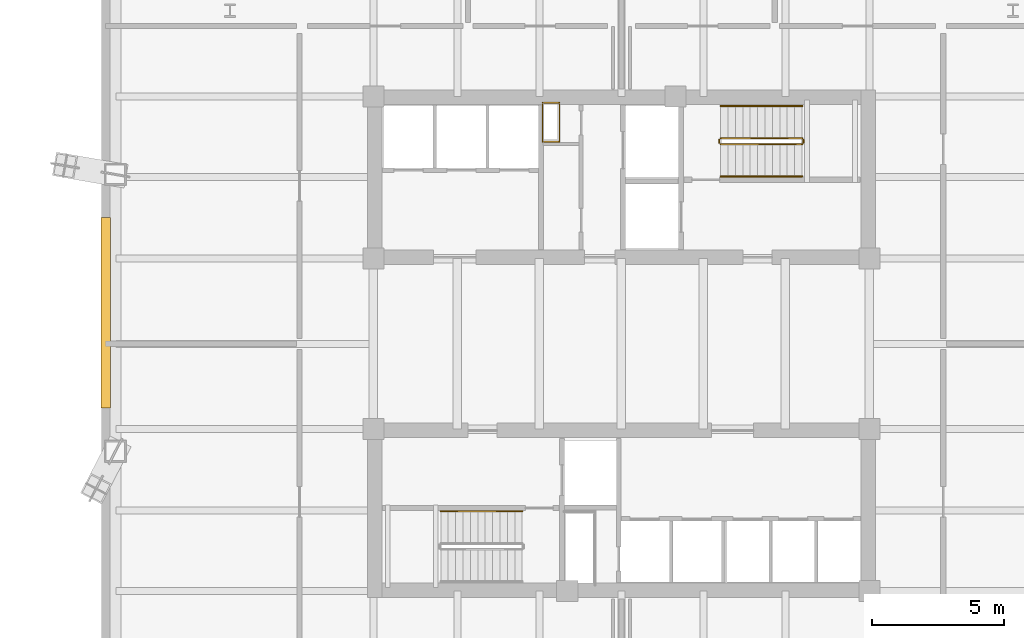
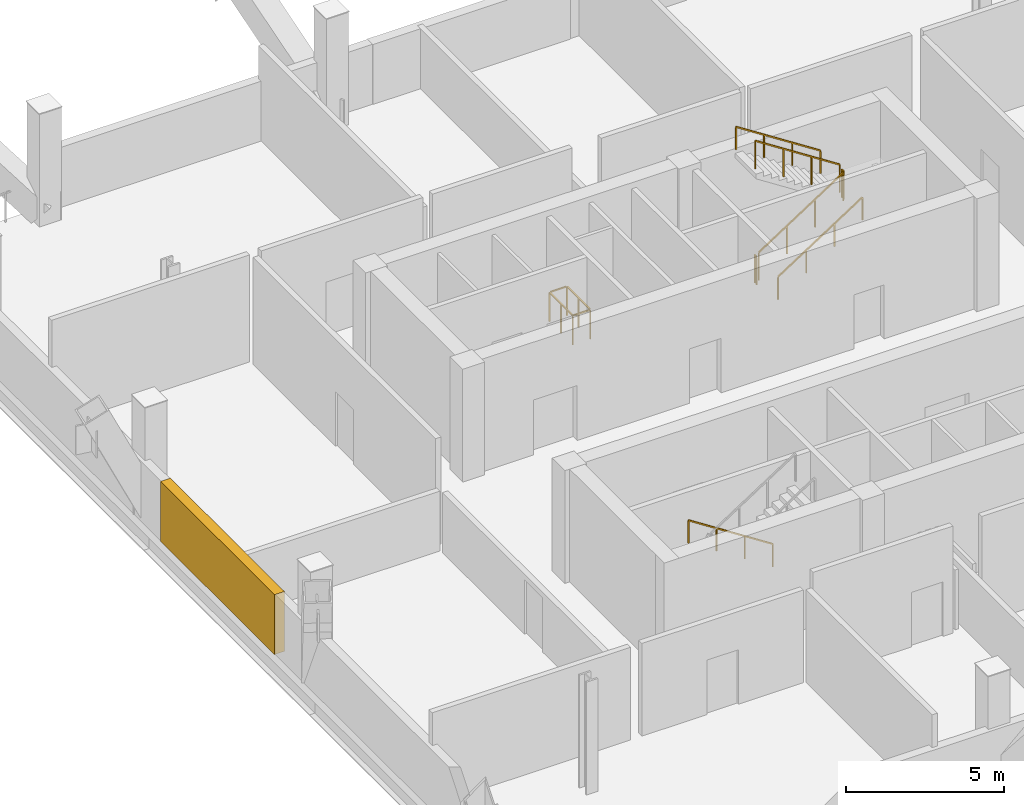
# One storey, part 7 of 8: 8 railings, 1 shading device.
"""IFC4 building model written with IfcOpenShell, lengths in metres."""

from ifc_helpers import new_model, si_unit, direction, frame, origin, origin_2d, place, context, subcontext, project, spatial, rectangle, extrude, material, type_object, element, save


model = new_model("IFC4")

# Units and contexts
model_context = context("Model", 3, precision=1e-05, world=origin(), true_north=direction((0.0, 1.0)))
body_context = subcontext(model_context, "Body", "Model", "MODEL_VIEW")
ifc_project = project(units=[si_unit("LENGTHUNIT", "METRE"), si_unit("AREAUNIT", "SQUARE_METRE"), si_unit("VOLUMEUNIT", "CUBIC_METRE"), si_unit("PLANEANGLEUNIT", "RADIAN"), si_unit("MASSUNIT", "GRAM", prefix="KILO")], contexts=[model_context])

# Site, building, storey
site_placement = place(None, origin())
site = spatial("IfcSite", under=ifc_project, at=site_placement, CompositionType="ELEMENT")
building_placement = place(site_placement, origin())
building = spatial("IfcBuilding", under=site, at=building_placement, Name="Qhalaya Broadcast Tower", CompositionType="ELEMENT")
storey_placement = place(building_placement, frame((0.0, 0.0, 65.10009765625)))
storey = spatial("IfcBuildingStorey", under=building, at=storey_placement, Name="L18", CompositionType="ELEMENT", Elevation=65.10009765625)

# Shading device
ifc_material_1 = material(Name="Fired Architectural Terracotta", Category="masonry")
shading_device_type = type_object("IfcShadingDeviceType", Name="Plant & Turbine-Slot Acoustic Louvre Screen LVS-01", PredefinedType="USERDEFINED", material=ifc_material_1)
shading_device_placement = place(storey_placement, frame((-19.489990234375, 1.77001953125, -0.000244140625), z_axis=(0.0, 0.0, 1.0), x_axis=(0.0, 1.0, 0.0)))
element("IfcShadingDevice", 1, at=shading_device_placement, inside=storey, type_object=shading_device_type, Name="L18 Plant Acoustic Louvre Screen W", ObjectType="LOUVRE", PredefinedType="USERDEFINED", context=body_context, shape_type="SweptSolid", body=[
    extrude(rectangle(XDim=7.199951171875, YDim=0.360107421875, at=origin_2d()), origin(), (0.0, 0.0, 1.0), 2.31005859375),
])

# Railings
ifc_material_2 = material(Name="Powder-Coated Galvanised Steel", Category="steel")
railing_type_1 = type_object("IfcRailingType", Name="Stair Wall Handrail 900", PredefinedType="HANDRAIL", material=ifc_material_2)
railing_1_placement = place(storey_placement, frame((3.75, 6.929931640625, 0.18115234375)))
element("IfcRailing", 2, at=railing_1_placement, inside=storey, type_object=railing_type_1, Name="L18 ST-1 Stair Handrail 1", PredefinedType="HANDRAIL", context=body_context, shape_type="SweptSolid", body=[
    extrude(rectangle(XDim=0.048095703125, YDim=0.048095703125, at=origin_2d()), frame((0.0, 0.0, 0.8759765625), z_axis=(0.839488025565, 0.0, 0.543378187759), x_axis=(0.0, 1.0, 0.0)), (0.0, 0.0, 1.0), 3.6689453125),
    extrude(rectangle(XDim=0.0419921875, YDim=0.0419921875, at=origin_2d()), origin(), (0.0, 0.0, 1.0), 0.849853515625),
    extrude(rectangle(XDim=0.0419921875, YDim=0.0419921875, at=origin_2d()), frame((1.026611328125, 0.0, 0.66455078125)), (0.0, 0.0, 1.0), 0.849853515625),
    extrude(rectangle(XDim=0.0419921875, YDim=0.0419921875, at=origin_2d()), frame((2.053466796875, 0.0, 1.3291015625)), (0.0, 0.0, 1.0), 0.849853515625),
    extrude(rectangle(XDim=0.0419921875, YDim=0.0419921875, at=origin_2d()), frame((3.080078125, 0.0, 1.99365234375)), (0.0, 0.0, 1.0), 0.849853515625),
])
for number, where, name in (
    (3, (6.830078125, 9.590087890625, 2.356201171875), "L18 ST-1 Stair Handrail 2"),
    (4, (-3.75, -5.72998046875, 0.18115234375), "L18 ST-2 Stair Handrail 1"),
):
    element("IfcRailing", number, at=place(storey_placement, frame(where)), inside=storey, type_object=railing_type_1, Name=name, PredefinedType="HANDRAIL", context=body_context, shape_type="SweptSolid", body=[
        extrude(rectangle(XDim=0.048095703125, YDim=0.048095703125, at=origin_2d()), frame((0.0, 0.0, 0.8759765625), z_axis=(-0.839488025565, 0.0, 0.543378187759), x_axis=(0.0, -1.0, 0.0)), (0.0, 0.0, 1.0), 3.6689453125),
        extrude(rectangle(XDim=0.0419921875, YDim=0.0419921875, at=origin_2d()), origin(), (0.0, 0.0, 1.0), 0.849853515625),
        extrude(rectangle(XDim=0.0419921875, YDim=0.0419921875, at=origin_2d()), frame((-1.026611328125, 0.0, 0.66455078125)), (0.0, 0.0, 1.0), 0.849853515625),
        extrude(rectangle(XDim=0.0419921875, YDim=0.0419921875, at=origin_2d()), frame((-2.053466796875, 0.0, 1.3291015625)), (0.0, 0.0, 1.0), 0.849853515625),
        extrude(rectangle(XDim=0.0419921875, YDim=0.0419921875, at=origin_2d()), frame((-3.080078125, 0.0, 1.99365234375)), (0.0, 0.0, 1.0), 0.849853515625),
    ])
railing_type_2 = type_object("IfcRailingType", Name="Stair Well & Landing Guardrail 1100", PredefinedType="GUARDRAIL", material=ifc_material_2)
railing_2_placement = place(storey_placement, frame((-2.340087890625, 8.239990234375, 0.0)))
element("IfcRailing", 5, at=railing_2_placement, inside=storey, type_object=railing_type_2, Name="L18 Service Riser Opening Safety Guard NRSR", PredefinedType="GUARDRAIL", context=body_context, shape_type="SweptSolid", body=[
    extrude(rectangle(XDim=0.048095703125, YDim=0.048095703125, at=origin_2d()), frame((0.0, 0.02880859375, 1.1259765625), z_axis=(0.0, 1.0, 0.0), x_axis=(-1.0, 0.0, 0.0)), (0.0, 0.0, 1.0), 1.42236328125),
    extrude(rectangle(XDim=0.048095703125, YDim=0.048095703125, at=origin_2d()), frame((-0.02880859375, 1.47998046875, 1.1259765625), z_axis=(-1.0, 0.0, 0.0), x_axis=(0.0, -1.0, 0.0)), (0.0, 0.0, 1.0), 0.582275390625),
    extrude(rectangle(XDim=0.048095703125, YDim=0.048095703125, at=origin_2d()), frame((-0.639892578125, 1.451171875, 1.1259765625), z_axis=(0.0, -1.0, 0.0), x_axis=(1.0, 0.0, 0.0)), (0.0, 0.0, 1.0), 1.42236328125),
    extrude(rectangle(XDim=0.048095703125, YDim=0.048095703125, at=origin_2d()), frame((-0.611083984375, 0.0, 1.1259765625), z_axis=(1.0, 0.0, 0.0), x_axis=(0.0, 1.0, 0.0)), (0.0, 0.0, 1.0), 0.582275390625),
    extrude(rectangle(XDim=0.0419921875, YDim=0.0419921875, at=origin_2d()), origin(), (0.0, 0.0, 1.0), 1.099853515625),
    extrude(rectangle(XDim=0.0419921875, YDim=0.0419921875, at=origin_2d()), frame((0.0, 0.739990234375, 0.0)), (0.0, 0.0, 1.0), 1.099853515625),
    extrude(rectangle(XDim=0.0419921875, YDim=0.0419921875, at=origin_2d()), frame((0.0, 1.47998046875, 0.0)), (0.0, 0.0, 1.0), 1.099853515625),
    extrude(rectangle(XDim=0.0419921875, YDim=0.0419921875, at=origin_2d()), frame((-0.639892578125, 1.47998046875, 0.0)), (0.0, 0.0, 1.0), 1.099853515625),
    extrude(rectangle(XDim=0.0419921875, YDim=0.0419921875, at=origin_2d()), frame((-0.639892578125, 0.739990234375, 0.0)), (0.0, 0.0, 1.0), 1.099853515625),
    extrude(rectangle(XDim=0.0419921875, YDim=0.0419921875, at=origin_2d()), frame((-0.639892578125, 0.0, 0.0)), (0.0, 0.0, 1.0), 1.099853515625),
])
railing_3_placement = place(storey_placement, frame((3.75, 8.14990234375, 0.18115234375)))
element("IfcRailing", 6, at=railing_3_placement, inside=storey, type_object=railing_type_2, Name="L18 ST-1 Stair Guard 1", PredefinedType="GUARDRAIL", context=body_context, shape_type="SweptSolid", body=[
    extrude(rectangle(XDim=0.048095703125, YDim=0.048095703125, at=origin_2d()), frame((0.0, 0.0, 1.076171875), z_axis=(0.839488025565, 0.0, 0.543378187759), x_axis=(0.0, 1.0, 0.0)), (0.0, 0.0, 1.0), 3.6689453125),
    extrude(rectangle(XDim=0.0419921875, YDim=0.0419921875, at=origin_2d()), origin(), (0.0, 0.0, 1.0), 1.050048828125),
    extrude(rectangle(XDim=0.0419921875, YDim=0.0419921875, at=origin_2d()), frame((1.026611328125, 0.0, 0.66455078125)), (0.0, 0.0, 1.0), 1.050048828125),
    extrude(rectangle(XDim=0.0419921875, YDim=0.0419921875, at=origin_2d()), frame((2.053466796875, 0.0, 1.3291015625)), (0.0, 0.0, 1.0), 1.050048828125),
    extrude(rectangle(XDim=0.0419921875, YDim=0.0419921875, at=origin_2d()), frame((3.080078125, 0.0, 1.99365234375)), (0.0, 0.0, 1.0), 1.050048828125),
])
railing_4_placement = place(storey_placement, frame((6.8798828125, 8.199951171875, 2.1748046875)))
element("IfcRailing", 7, at=railing_4_placement, inside=storey, type_object=railing_type_2, Name="L18 ST-1 Stair Guard 2", PredefinedType="GUARDRAIL", context=body_context, shape_type="SweptSolid", body=[
    extrude(rectangle(XDim=0.048095703125, YDim=0.048095703125, at=origin_2d()), frame((0.0, 0.0, 1.076171875), z_axis=(0.0, 1.0, 0.0), x_axis=(-1.0, 0.0, 0.0)), (0.0, 0.0, 1.0), 0.1201171875),
    extrude(rectangle(XDim=0.0419921875, YDim=0.0419921875, at=origin_2d()), origin(), (0.0, 0.0, 1.0), 1.050048828125),
    extrude(rectangle(XDim=0.0419921875, YDim=0.0419921875, at=origin_2d()), frame((0.0, 0.1201171875, 0.0)), (0.0, 0.0, 1.0), 1.050048828125),
])
railing_5_placement = place(storey_placement, frame((6.830078125, 8.3701171875, 2.356201171875)))
element("IfcRailing", 8, at=railing_5_placement, inside=storey, type_object=railing_type_2, Name="L18 ST-1 Stair Guard 3", PredefinedType="GUARDRAIL", context=body_context, shape_type="SweptSolid", body=[
    extrude(rectangle(XDim=0.048095703125, YDim=0.048095703125, at=origin_2d()), frame((0.0, 0.0, 1.076171875), z_axis=(-0.839488025565, 0.0, 0.543378187759), x_axis=(0.0, -1.0, 0.0)), (0.0, 0.0, 1.0), 3.6689453125),
    extrude(rectangle(XDim=0.0419921875, YDim=0.0419921875, at=origin_2d()), origin(), (0.0, 0.0, 1.0), 1.050048828125),
    extrude(rectangle(XDim=0.0419921875, YDim=0.0419921875, at=origin_2d()), frame((-1.026611328125, 0.0, 0.66455078125)), (0.0, 0.0, 1.0), 1.050048828125),
    extrude(rectangle(XDim=0.0419921875, YDim=0.0419921875, at=origin_2d()), frame((-2.053466796875, 0.0, 1.3291015625)), (0.0, 0.0, 1.0), 1.050048828125),
    extrude(rectangle(XDim=0.0419921875, YDim=0.0419921875, at=origin_2d()), frame((-3.080078125, 0.0, 1.99365234375)), (0.0, 0.0, 1.0), 1.050048828125),
])
railing_6_placement = place(storey_placement, frame((3.699951171875, 8.199951171875, 0.0)))
element("IfcRailing", 9, at=railing_6_placement, inside=storey, type_object=railing_type_2, Name="L18 ST-1 Stair Guard 4", PredefinedType="GUARDRAIL", context=body_context, shape_type="SweptSolid", body=[
    extrude(rectangle(XDim=0.048095703125, YDim=0.048095703125, at=origin_2d()), frame((0.0, 0.0, 1.076171875), z_axis=(0.0, 1.0, 0.0), x_axis=(-1.0, 0.0, 0.0)), (0.0, 0.0, 1.0), 0.1201171875),
    extrude(rectangle(XDim=0.0419921875, YDim=0.0419921875, at=origin_2d()), origin(), (0.0, 0.0, 1.0), 1.050048828125),
    extrude(rectangle(XDim=0.0419921875, YDim=0.0419921875, at=origin_2d()), frame((0.0, 0.1201171875, 0.0)), (0.0, 0.0, 1.0), 1.050048828125),
])

save(model, "model.ifc")
